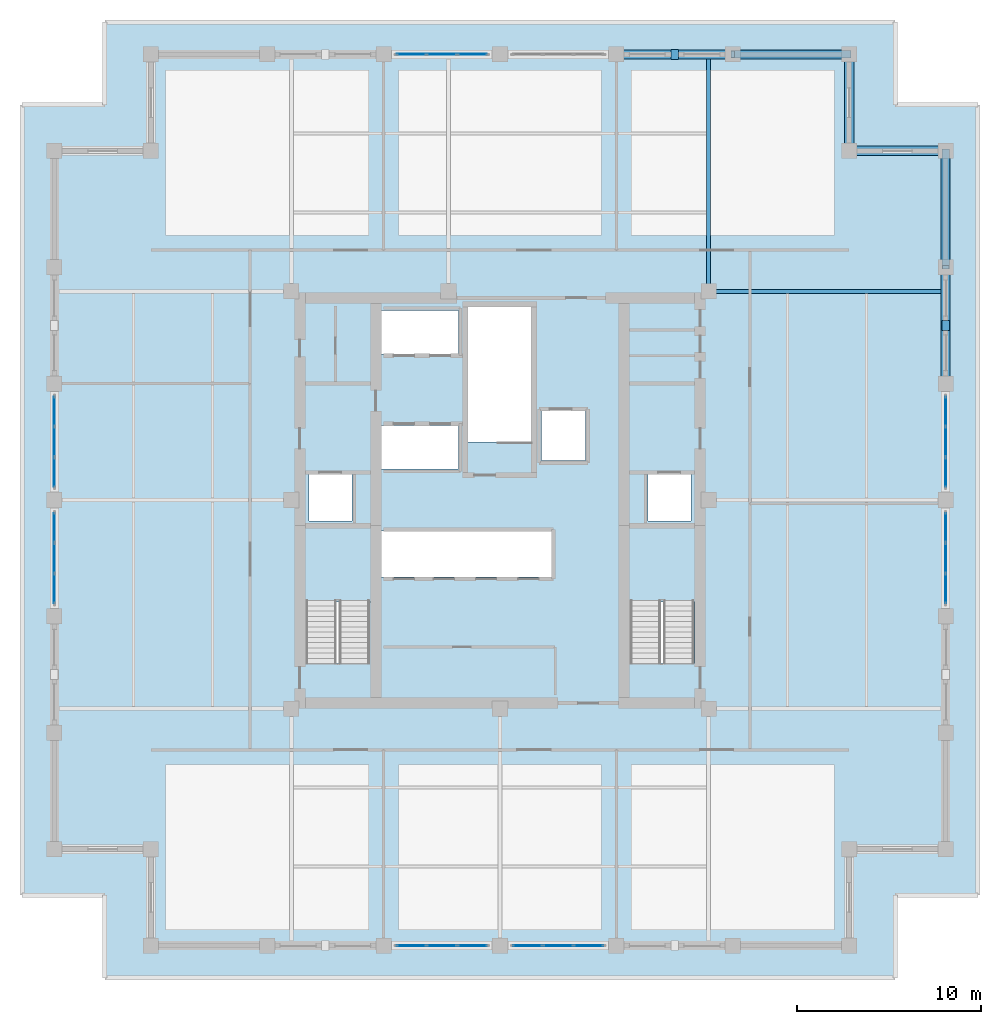
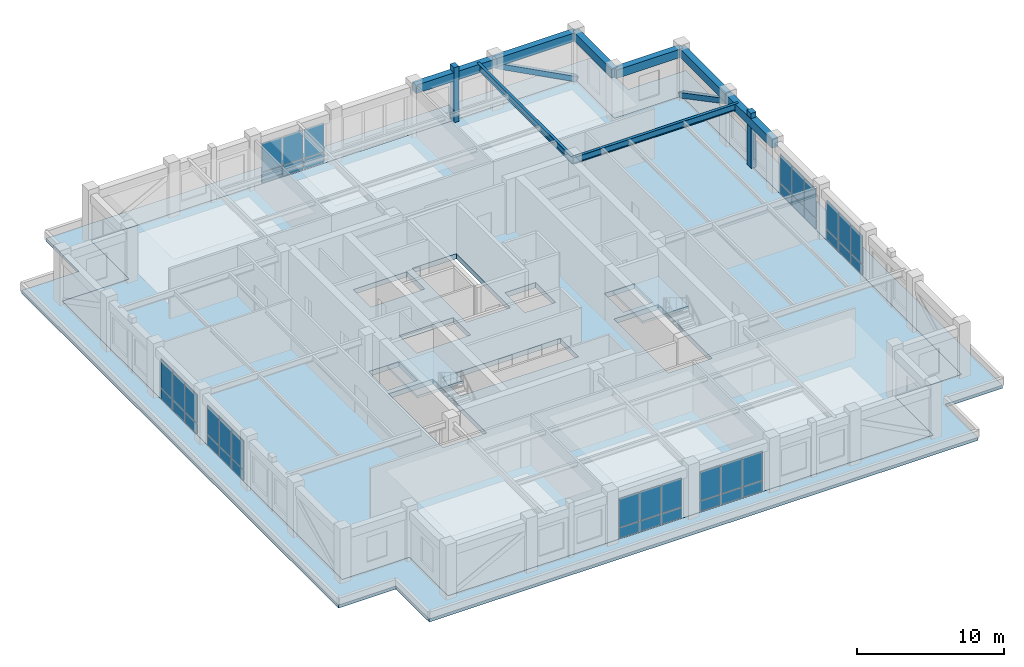
# One storey, part 6 of 14: 42 plates, 8 beams, 4 members, 4 slabs, 9 elements without a shape of their own.
"""IFC4 building model written with IfcOpenShell, lengths in metres."""

from ifc_helpers import new_model, si_unit, direction, frame, origin, origin_2d, place, context, subcontext, project, spatial, polyline, rectangle, hollow_rectangle, i_section, outline, extrude, material, layer, layer_set, material_profile, profile_set, type_object, element, aggregate, save


model = new_model("IFC4")

# Units and contexts
model_context = context("Model", 3, precision=1e-05, world=origin(), true_north=direction((0.0, 1.0)))
body_context = subcontext(model_context, "Body", "Model", "MODEL_VIEW")
ifc_project = project(units=[si_unit("LENGTHUNIT", "METRE"), si_unit("AREAUNIT", "SQUARE_METRE"), si_unit("VOLUMEUNIT", "CUBIC_METRE"), si_unit("PLANEANGLEUNIT", "RADIAN"), si_unit("MASSUNIT", "GRAM", prefix="KILO")], contexts=[model_context])

# Site, building, storey
site_placement = place(None, origin())
site = spatial("IfcSite", under=ifc_project, at=site_placement, CompositionType="ELEMENT")
building_placement = place(site_placement, origin())
building = spatial("IfcBuilding", under=site, at=building_placement, Name="Nhamokura Convention Tower", CompositionType="ELEMENT")
storey_placement = place(building_placement, frame((0.0, 0.0, 182.35009765625)))
storey = spatial("IfcBuildingStorey", under=building, at=storey_placement, Name="L44", CompositionType="ELEMENT", Elevation=182.35009765625)

# Members
ifc_material_1 = material(Name="Bronze-pigmented precast concrete C45/55", Category="concrete")
ifc_material_profile_1 = material_profile(ifc_material_1, rectangle(XDim=0.39990234375, YDim=0.550048828125, at=origin_2d()))
ifc_profile_set_1 = profile_set([ifc_material_profile_1], Name="Bronze-pigmented precast concrete C45/55")
member_type_1 = type_object("IfcMemberType", Name="BronzePilaster_550", PredefinedType="USERDEFINED", material=ifc_profile_set_1)
for number, where, z_axis, x_axis, name in (
    (1, (41.5, 56.25, 0.0), (0.0, 0.0, 1.0), (1.0, 0.0, 0.0), "L44 Engaged Frame Pilaster NORTH 4"),
    (2, (56.25, 41.5, 0.0), (0.0, 0.0, 1.0), (1.0, 0.0, 0.0), "L44 Engaged Frame Pilaster EAST 4"),
):
    element("IfcMember", number, at=place(storey_placement, frame(where, z_axis=z_axis, x_axis=x_axis)), inside=storey, type_object=member_type_1, Name=name, ObjectType="PILASTER_TRIM", PredefinedType="USERDEFINED", context=body_context, shape_type="SweptSolid", body=[
        extrude(rectangle(XDim=0.39990234375, YDim=0.550048828125, at=origin_2d()), origin(), (0.0, 0.0, 1.0), 4.5498046875),
    ])

# Beams
ifc_material_2 = material(Name="Steel ASTM A992 Gr 50", Category="steel")
ifc_material_profile_2 = material_profile(ifc_material_2, i_section(OverallWidth=0.2109375, OverallDepth=0.5390625, WebThickness=0.01171875, FlangeThickness=0.018798828125, at=origin_2d()))
ifc_profile_set_2 = profile_set([ifc_material_profile_2], Name="Steel ASTM A992 Gr 50")
beam_type_1 = type_object("IfcBeamType", Name="PrimaryGirder_W530X109", PredefinedType="BEAM", material=ifc_profile_set_2)
for number, where, z_axis, x_axis, name in (
    (3, (43.35009765625, 43.35009765625, 3.8603515625), (0.0, 1.0, 0.0), (-1.0, 0.0, 0.0), "L44 Primary Floor Girder PG-N3"),
    (4, (43.35009765625, 43.35009765625, 3.8603515625), (1.0, 0.0, 0.0), (0.0, 1.0, 0.0), "L44 Primary Floor Girder PG-E3"),
):
    element("IfcBeam", number, at=place(storey_placement, frame(where, z_axis=z_axis, x_axis=x_axis)), inside=storey, type_object=beam_type_1, Name=name, PredefinedType="BEAM", context=body_context, shape_type="SweptSolid", body=[
        extrude(i_section(OverallWidth=0.2109375, OverallDepth=0.5390625, WebThickness=0.01171875, FlangeThickness=0.018798828125, at=origin_2d()), origin(), (0.0, 0.0, 1.0), 12.89990234375),
    ])

# Members
ifc_material_3 = material(Name="Steel ASTM A572 Gr 50", Category="steel")
ifc_material_profile_3 = material_profile(ifc_material_3, hollow_rectangle(XDim=0.39990234375, YDim=0.39990234375, WallThickness=0.02001953125, at=origin_2d()))
ifc_profile_set_3 = profile_set([ifc_material_profile_3], Name="Steel ASTM A572 Gr 50")
member_type_2 = type_object("IfcMemberType", Name="TubeBrace_HSS400", PredefinedType="BRACE", material=ifc_profile_set_3)
for number, where, z_axis, x_axis, name in (
    (5, (51.0, 56.25, 0.14990234375), (-0.885103184305, 0.0, 0.46539483574), (0.0, -1.0, 0.0), "L44 Perimeter Tube Brace NORTH Bay 5"),
    (6, (56.25, 51.0, 0.14990234375), (0.0, -0.885103184305, 0.46539483574), (1.0, 0.0, 0.0), "L44 Perimeter Tube Brace EAST Bay 5"),
):
    element("IfcMember", number, at=place(storey_placement, frame(where, z_axis=z_axis, x_axis=x_axis)), inside=storey, type_object=member_type_2, Name=name, PredefinedType="BRACE", context=body_context, shape_type="SweptSolid", body=[
        extrude(hollow_rectangle(XDim=0.39990234375, YDim=0.39990234375, WallThickness=0.02001953125, at=origin_2d()), origin(), (0.0, 0.0, 1.0), 7.1552734375),
    ])

# Beams
ifc_material_4 = material(Name="Concrete C50/60", Category="concrete")
ifc_material_profile_4 = material_profile(ifc_material_4, rectangle(XDim=0.5, YDim=0.699951171875, at=origin_2d()))
ifc_profile_set_4 = profile_set([ifc_material_profile_4], Name="Concrete C50/60")
beam_type_2 = type_object("IfcBeamType", Name="TubeSpandrel_700", PredefinedType="SPANDREL", material=ifc_profile_set_4)
beam_1_placement = place(storey_placement, frame((38.333251953125, 56.25, 3.77978515625), z_axis=(1.0, 0.0, 0.0), x_axis=(0.0, 1.0, 0.0)))
element("IfcBeam", 7, at=beam_1_placement, inside=storey, type_object=beam_type_2, Name="L44 Perimeter Spandrel NORTH 5", PredefinedType="SPANDREL", context=body_context, shape_type="SweptSolid", body=[
    extrude(rectangle(XDim=0.5, YDim=0.699951171875, at=origin_2d()), origin(), (0.0, 0.0, 1.0), 6.33349609375),
])
beam_2_placement = place(storey_placement, frame((44.666748046875, 56.25, 3.77978515625), z_axis=(1.0, 0.0, 0.0), x_axis=(0.0, 1.0, 0.0)))
element("IfcBeam", 8, at=beam_2_placement, inside=storey, type_object=beam_type_2, Name="L44 Perimeter Spandrel NORTH 6", PredefinedType="SPANDREL", context=body_context, shape_type="SweptSolid", body=[
    extrude(rectangle(XDim=0.5, YDim=0.699951171875, at=origin_2d()), origin(), (0.0, 0.0, 1.0), 6.333251953125),
])
beam_3_placement = place(storey_placement, frame((56.25, 38.333251953125, 3.77978515625), z_axis=(0.0, 1.0, 0.0), x_axis=(-1.0, 0.0, 0.0)))
element("IfcBeam", 9, at=beam_3_placement, inside=storey, type_object=beam_type_2, Name="L44 Perimeter Spandrel EAST 5", PredefinedType="SPANDREL", context=body_context, shape_type="SweptSolid", body=[
    extrude(rectangle(XDim=0.5, YDim=0.699951171875, at=origin_2d()), origin(), (0.0, 0.0, 1.0), 6.33349609375),
])
beam_4_placement = place(storey_placement, frame((56.25, 44.666748046875, 3.77978515625), z_axis=(0.0, 1.0, 0.0), x_axis=(-1.0, 0.0, 0.0)))
element("IfcBeam", 10, at=beam_4_placement, inside=storey, type_object=beam_type_2, Name="L44 Perimeter Spandrel EAST 6", PredefinedType="SPANDREL", context=body_context, shape_type="SweptSolid", body=[
    extrude(rectangle(XDim=0.5, YDim=0.699951171875, at=origin_2d()), origin(), (0.0, 0.0, 1.0), 6.333251953125),
])
for number, where, z_axis, x_axis, name in (
    (11, (56.25, 51.0, 3.77978515625), (-1.0, 0.0, 0.0), (0.0, -1.0, 0.0), "L44 Notch Spandrel NE1"),
    (12, (51.0, 51.0, 3.77978515625), (0.0, 1.0, 0.0), (-1.0, 0.0, 0.0), "L44 Notch Spandrel NE2"),
):
    element("IfcBeam", number, at=place(storey_placement, frame(where, z_axis=z_axis, x_axis=x_axis)), inside=storey, type_object=beam_type_2, Name=name, PredefinedType="SPANDREL", context=body_context, shape_type="SweptSolid", body=[
        extrude(rectangle(XDim=0.5, YDim=0.699951171875, at=origin_2d()), origin(), (0.0, 0.0, 1.0), 5.25),
    ])

# Curtain wall, plates
ifc_material_5 = material(Name="Anodised bronze aluminium AA6063-T6", Category="aluminium")
ifc_layer_1 = layer(ifc_material_5, 0.18994140625)
ifc_layer_set_1 = layer_set([ifc_layer_1], Name="CWSystem_SkyLobby")
curtain_wall_type = type_object("IfcCurtainWallType", Name="CWSystem_SkyLobby", PredefinedType="NOTDEFINED", material=ifc_layer_set_1)
curtain_wall_1_placement = place(storey_placement, origin())
curtain_wall_1 = element("IfcCurtainWall", 13, at=curtain_wall_1_placement, inside=storey, type_object=curtain_wall_type, Name="L44 Curtain Wall ENV-L44-CW-S2", PredefinedType="NOTDEFINED")
ifc_material_6 = material(Name="Solar-control bronze low-E double glass", Category="glass")
ifc_layer_2 = layer(ifc_material_6, 0.0400390625)
ifc_layer_set_2 = layer_set([ifc_layer_2], Name="CWGlazedPanel_3")
plate_type = type_object("IfcPlateType", Name="CWGlazedPanel_3", PredefinedType="CURTAIN_PANEL", material=ifc_layer_set_2)
plate_1_placement = place(storey_placement, frame((30.492431640625, 7.75, 0.074951171875), z_axis=(0.0, 0.0, 1.0), x_axis=(-1.0, 0.0, 0.0)))
plate_1 = element("IfcPlate", 14, at=plate_1_placement, type_object=plate_type, Name="CW-06 panel 1.1", PredefinedType="CURTAIN_PANEL", context=body_context, shape_type="SweptSolid", body=[
    extrude(rectangle(XDim=1.565185546875, YDim=0.0400390625, at=origin_2d()), origin(), (0.0, 0.0, 1.0), 0.83740234375),
])
plate_2_placement = place(storey_placement, frame((30.492431640625, 7.75, 0.9873046875), z_axis=(0.0, 0.0, 1.0), x_axis=(-1.0, 0.0, 0.0)))
plate_2 = element("IfcPlate", 15, at=plate_2_placement, type_object=plate_type, Name="CW-06 panel 1.2", PredefinedType="CURTAIN_PANEL", context=body_context, shape_type="SweptSolid", body=[
    extrude(rectangle(XDim=1.565185546875, YDim=0.0400390625, at=origin_2d()), origin(), (0.0, 0.0, 1.0), 2.367431640625),
])
plate_3_placement = place(storey_placement, frame((28.833251953125, 7.75, 0.074951171875), z_axis=(0.0, 0.0, 1.0), x_axis=(-1.0, 0.0, 0.0)))
plate_3 = element("IfcPlate", 16, at=plate_3_placement, type_object=plate_type, Name="CW-06 panel 2.1", PredefinedType="CURTAIN_PANEL", context=body_context, shape_type="SweptSolid", body=[
    extrude(rectangle(XDim=1.602783203125, YDim=0.0400390625, at=origin_2d()), origin(), (0.0, 0.0, 1.0), 0.83740234375),
])
plate_4_placement = place(storey_placement, frame((28.833251953125, 7.75, 0.9873046875), z_axis=(0.0, 0.0, 1.0), x_axis=(-1.0, 0.0, 0.0)))
plate_4 = element("IfcPlate", 17, at=plate_4_placement, type_object=plate_type, Name="CW-06 panel 2.2", PredefinedType="CURTAIN_PANEL", context=body_context, shape_type="SweptSolid", body=[
    extrude(rectangle(XDim=1.602783203125, YDim=0.0400390625, at=origin_2d()), origin(), (0.0, 0.0, 1.0), 2.367431640625),
])
plate_5_placement = place(storey_placement, frame((27.17431640625, 7.75, 0.074951171875), z_axis=(0.0, 0.0, 1.0), x_axis=(-1.0, 0.0, 0.0)))
plate_5 = element("IfcPlate", 18, at=plate_5_placement, type_object=plate_type, Name="CW-06 panel 3.1", PredefinedType="CURTAIN_PANEL", context=body_context, shape_type="SweptSolid", body=[
    extrude(rectangle(XDim=1.565185546875, YDim=0.0400390625, at=origin_2d()), origin(), (0.0, 0.0, 1.0), 0.83740234375),
])
plate_6_placement = place(storey_placement, frame((27.17431640625, 7.75, 0.9873046875), z_axis=(0.0, 0.0, 1.0), x_axis=(-1.0, 0.0, 0.0)))
plate_6 = element("IfcPlate", 19, at=plate_6_placement, type_object=plate_type, Name="CW-06 panel 3.2", PredefinedType="CURTAIN_PANEL", context=body_context, shape_type="SweptSolid", body=[
    extrude(rectangle(XDim=1.565185546875, YDim=0.0400390625, at=origin_2d()), origin(), (0.0, 0.0, 1.0), 2.367431640625),
])
aggregate(curtain_wall_1, [plate_1, plate_2, plate_3, plate_4, plate_5, plate_6])

curtain_wall_2_placement = place(storey_placement, origin())
curtain_wall_2 = element("IfcCurtainWall", 20, at=curtain_wall_2_placement, inside=storey, type_object=curtain_wall_type, Name="L44 Curtain Wall ENV-L44-CW-S3", PredefinedType="NOTDEFINED")
plate_7_placement = place(storey_placement, frame((36.82568359375, 7.75, 0.074951171875), z_axis=(0.0, 0.0, 1.0), x_axis=(-1.0, 0.0, 0.0)))
plate_7 = element("IfcPlate", 21, at=plate_7_placement, type_object=plate_type, Name="CW-06 panel 1.1", PredefinedType="CURTAIN_PANEL", context=body_context, shape_type="SweptSolid", body=[
    extrude(rectangle(XDim=1.565185546875, YDim=0.0400390625, at=origin_2d()), origin(), (0.0, 0.0, 1.0), 0.83740234375),
])
plate_8_placement = place(storey_placement, frame((36.82568359375, 7.75, 0.9873046875), z_axis=(0.0, 0.0, 1.0), x_axis=(-1.0, 0.0, 0.0)))
plate_8 = element("IfcPlate", 22, at=plate_8_placement, type_object=plate_type, Name="CW-06 panel 1.2", PredefinedType="CURTAIN_PANEL", context=body_context, shape_type="SweptSolid", body=[
    extrude(rectangle(XDim=1.565185546875, YDim=0.0400390625, at=origin_2d()), origin(), (0.0, 0.0, 1.0), 2.367431640625),
])
plate_9_placement = place(storey_placement, frame((35.166748046875, 7.75, 0.074951171875), z_axis=(0.0, 0.0, 1.0), x_axis=(-1.0, 0.0, 0.0)))
plate_9 = element("IfcPlate", 23, at=plate_9_placement, type_object=plate_type, Name="CW-06 panel 2.1", PredefinedType="CURTAIN_PANEL", context=body_context, shape_type="SweptSolid", body=[
    extrude(rectangle(XDim=1.602783203125, YDim=0.0400390625, at=origin_2d()), origin(), (0.0, 0.0, 1.0), 0.83740234375),
])
plate_10_placement = place(storey_placement, frame((35.166748046875, 7.75, 0.9873046875), z_axis=(0.0, 0.0, 1.0), x_axis=(-1.0, 0.0, 0.0)))
plate_10 = element("IfcPlate", 24, at=plate_10_placement, type_object=plate_type, Name="CW-06 panel 2.2", PredefinedType="CURTAIN_PANEL", context=body_context, shape_type="SweptSolid", body=[
    extrude(rectangle(XDim=1.602783203125, YDim=0.0400390625, at=origin_2d()), origin(), (0.0, 0.0, 1.0), 2.367431640625),
])
plate_11_placement = place(storey_placement, frame((33.507568359375, 7.75, 0.074951171875), z_axis=(0.0, 0.0, 1.0), x_axis=(-1.0, 0.0, 0.0)))
plate_11 = element("IfcPlate", 25, at=plate_11_placement, type_object=plate_type, Name="CW-06 panel 3.1", PredefinedType="CURTAIN_PANEL", context=body_context, shape_type="SweptSolid", body=[
    extrude(rectangle(XDim=1.565185546875, YDim=0.0400390625, at=origin_2d()), origin(), (0.0, 0.0, 1.0), 0.83740234375),
])
plate_12_placement = place(storey_placement, frame((33.507568359375, 7.75, 0.9873046875), z_axis=(0.0, 0.0, 1.0), x_axis=(-1.0, 0.0, 0.0)))
plate_12 = element("IfcPlate", 26, at=plate_12_placement, type_object=plate_type, Name="CW-06 panel 3.2", PredefinedType="CURTAIN_PANEL", context=body_context, shape_type="SweptSolid", body=[
    extrude(rectangle(XDim=1.565185546875, YDim=0.0400390625, at=origin_2d()), origin(), (0.0, 0.0, 1.0), 2.367431640625),
])
aggregate(curtain_wall_2, [plate_7, plate_8, plate_9, plate_10, plate_11, plate_12])

curtain_wall_3_placement = place(storey_placement, origin())
curtain_wall_3 = element("IfcCurtainWall", 27, at=curtain_wall_3_placement, inside=storey, type_object=curtain_wall_type, Name="L44 Curtain Wall ENV-L44-CW-N2", PredefinedType="NOTDEFINED")
plate_13_placement = place(storey_placement, frame((27.17431640625, 56.25, 0.074951171875), z_axis=(0.0, 0.0, 1.0), x_axis=(1.0, 0.0, 0.0)))
plate_13 = element("IfcPlate", 28, at=plate_13_placement, type_object=plate_type, Name="CW-06 panel 1.1", PredefinedType="CURTAIN_PANEL", context=body_context, shape_type="SweptSolid", body=[
    extrude(rectangle(XDim=1.565185546875, YDim=0.0400390625, at=origin_2d()), origin(), (0.0, 0.0, 1.0), 0.83740234375),
])
plate_14_placement = place(storey_placement, frame((27.17431640625, 56.25, 0.9873046875), z_axis=(0.0, 0.0, 1.0), x_axis=(1.0, 0.0, 0.0)))
plate_14 = element("IfcPlate", 29, at=plate_14_placement, type_object=plate_type, Name="CW-06 panel 1.2", PredefinedType="CURTAIN_PANEL", context=body_context, shape_type="SweptSolid", body=[
    extrude(rectangle(XDim=1.565185546875, YDim=0.0400390625, at=origin_2d()), origin(), (0.0, 0.0, 1.0), 2.367431640625),
])
plate_15_placement = place(storey_placement, frame((28.833251953125, 56.25, 0.074951171875), z_axis=(0.0, 0.0, 1.0), x_axis=(1.0, 0.0, 0.0)))
plate_15 = element("IfcPlate", 30, at=plate_15_placement, type_object=plate_type, Name="CW-06 panel 2.1", PredefinedType="CURTAIN_PANEL", context=body_context, shape_type="SweptSolid", body=[
    extrude(rectangle(XDim=1.602783203125, YDim=0.0400390625, at=origin_2d()), origin(), (0.0, 0.0, 1.0), 0.83740234375),
])
plate_16_placement = place(storey_placement, frame((28.833251953125, 56.25, 0.9873046875), z_axis=(0.0, 0.0, 1.0), x_axis=(1.0, 0.0, 0.0)))
plate_16 = element("IfcPlate", 31, at=plate_16_placement, type_object=plate_type, Name="CW-06 panel 2.2", PredefinedType="CURTAIN_PANEL", context=body_context, shape_type="SweptSolid", body=[
    extrude(rectangle(XDim=1.602783203125, YDim=0.0400390625, at=origin_2d()), origin(), (0.0, 0.0, 1.0), 2.367431640625),
])
plate_17_placement = place(storey_placement, frame((30.492431640625, 56.25, 0.074951171875), z_axis=(0.0, 0.0, 1.0), x_axis=(1.0, 0.0, 0.0)))
plate_17 = element("IfcPlate", 32, at=plate_17_placement, type_object=plate_type, Name="CW-06 panel 3.1", PredefinedType="CURTAIN_PANEL", context=body_context, shape_type="SweptSolid", body=[
    extrude(rectangle(XDim=1.565185546875, YDim=0.0400390625, at=origin_2d()), origin(), (0.0, 0.0, 1.0), 0.83740234375),
])
plate_18_placement = place(storey_placement, frame((30.492431640625, 56.25, 0.9873046875), z_axis=(0.0, 0.0, 1.0), x_axis=(1.0, 0.0, 0.0)))
plate_18 = element("IfcPlate", 33, at=plate_18_placement, type_object=plate_type, Name="CW-06 panel 3.2", PredefinedType="CURTAIN_PANEL", context=body_context, shape_type="SweptSolid", body=[
    extrude(rectangle(XDim=1.565185546875, YDim=0.0400390625, at=origin_2d()), origin(), (0.0, 0.0, 1.0), 2.367431640625),
])
aggregate(curtain_wall_3, [plate_13, plate_14, plate_15, plate_16, plate_17, plate_18])

curtain_wall_4_placement = place(storey_placement, origin())
curtain_wall_4 = element("IfcCurtainWall", 34, at=curtain_wall_4_placement, inside=storey, type_object=curtain_wall_type, Name="L44 Curtain Wall ENV-L44-CW-W2", PredefinedType="NOTDEFINED")
plate_19_placement = place(storey_placement, frame((7.75, 27.17431640625, 0.074951171875), z_axis=(0.0, 0.0, 1.0), x_axis=(0.0, 1.0, 0.0)))
plate_19 = element("IfcPlate", 35, at=plate_19_placement, type_object=plate_type, Name="CW-06 panel 1.1", PredefinedType="CURTAIN_PANEL", context=body_context, shape_type="SweptSolid", body=[
    extrude(rectangle(XDim=1.565185546875, YDim=0.0400390625, at=origin_2d()), origin(), (0.0, 0.0, 1.0), 0.83740234375),
])
plate_20_placement = place(storey_placement, frame((7.75, 27.17431640625, 0.9873046875), z_axis=(0.0, 0.0, 1.0), x_axis=(0.0, 1.0, 0.0)))
plate_20 = element("IfcPlate", 36, at=plate_20_placement, type_object=plate_type, Name="CW-06 panel 1.2", PredefinedType="CURTAIN_PANEL", context=body_context, shape_type="SweptSolid", body=[
    extrude(rectangle(XDim=1.565185546875, YDim=0.0400390625, at=origin_2d()), origin(), (0.0, 0.0, 1.0), 2.367431640625),
])
plate_21_placement = place(storey_placement, frame((7.75, 28.833251953125, 0.074951171875), z_axis=(0.0, 0.0, 1.0), x_axis=(0.0, 1.0, 0.0)))
plate_21 = element("IfcPlate", 37, at=plate_21_placement, type_object=plate_type, Name="CW-06 panel 2.1", PredefinedType="CURTAIN_PANEL", context=body_context, shape_type="SweptSolid", body=[
    extrude(rectangle(XDim=1.602783203125, YDim=0.0400390625, at=origin_2d()), origin(), (0.0, 0.0, 1.0), 0.83740234375),
])
plate_22_placement = place(storey_placement, frame((7.75, 28.833251953125, 0.9873046875), z_axis=(0.0, 0.0, 1.0), x_axis=(0.0, 1.0, 0.0)))
plate_22 = element("IfcPlate", 38, at=plate_22_placement, type_object=plate_type, Name="CW-06 panel 2.2", PredefinedType="CURTAIN_PANEL", context=body_context, shape_type="SweptSolid", body=[
    extrude(rectangle(XDim=1.602783203125, YDim=0.0400390625, at=origin_2d()), origin(), (0.0, 0.0, 1.0), 2.367431640625),
])
plate_23_placement = place(storey_placement, frame((7.75, 30.492431640625, 0.074951171875), z_axis=(0.0, 0.0, 1.0), x_axis=(0.0, 1.0, 0.0)))
plate_23 = element("IfcPlate", 39, at=plate_23_placement, type_object=plate_type, Name="CW-06 panel 3.1", PredefinedType="CURTAIN_PANEL", context=body_context, shape_type="SweptSolid", body=[
    extrude(rectangle(XDim=1.565185546875, YDim=0.0400390625, at=origin_2d()), origin(), (0.0, 0.0, 1.0), 0.83740234375),
])
plate_24_placement = place(storey_placement, frame((7.75, 30.492431640625, 0.9873046875), z_axis=(0.0, 0.0, 1.0), x_axis=(0.0, 1.0, 0.0)))
plate_24 = element("IfcPlate", 40, at=plate_24_placement, type_object=plate_type, Name="CW-06 panel 3.2", PredefinedType="CURTAIN_PANEL", context=body_context, shape_type="SweptSolid", body=[
    extrude(rectangle(XDim=1.565185546875, YDim=0.0400390625, at=origin_2d()), origin(), (0.0, 0.0, 1.0), 2.367431640625),
])
aggregate(curtain_wall_4, [plate_19, plate_20, plate_21, plate_22, plate_23, plate_24])

curtain_wall_5_placement = place(storey_placement, origin())
curtain_wall_5 = element("IfcCurtainWall", 41, at=curtain_wall_5_placement, inside=storey, type_object=curtain_wall_type, Name="L44 Curtain Wall ENV-L44-CW-W3", PredefinedType="NOTDEFINED")
plate_25_placement = place(storey_placement, frame((7.75, 33.507568359375, 0.074951171875), z_axis=(0.0, 0.0, 1.0), x_axis=(0.0, 1.0, 0.0)))
plate_25 = element("IfcPlate", 42, at=plate_25_placement, type_object=plate_type, Name="CW-06 panel 1.1", PredefinedType="CURTAIN_PANEL", context=body_context, shape_type="SweptSolid", body=[
    extrude(rectangle(XDim=1.565185546875, YDim=0.0400390625, at=origin_2d()), origin(), (0.0, 0.0, 1.0), 0.83740234375),
])
plate_26_placement = place(storey_placement, frame((7.75, 33.507568359375, 0.9873046875), z_axis=(0.0, 0.0, 1.0), x_axis=(0.0, 1.0, 0.0)))
plate_26 = element("IfcPlate", 43, at=plate_26_placement, type_object=plate_type, Name="CW-06 panel 1.2", PredefinedType="CURTAIN_PANEL", context=body_context, shape_type="SweptSolid", body=[
    extrude(rectangle(XDim=1.565185546875, YDim=0.0400390625, at=origin_2d()), origin(), (0.0, 0.0, 1.0), 2.367431640625),
])
plate_27_placement = place(storey_placement, frame((7.75, 35.166748046875, 0.074951171875), z_axis=(0.0, 0.0, 1.0), x_axis=(0.0, 1.0, 0.0)))
plate_27 = element("IfcPlate", 44, at=plate_27_placement, type_object=plate_type, Name="CW-06 panel 2.1", PredefinedType="CURTAIN_PANEL", context=body_context, shape_type="SweptSolid", body=[
    extrude(rectangle(XDim=1.602783203125, YDim=0.0400390625, at=origin_2d()), origin(), (0.0, 0.0, 1.0), 0.83740234375),
])
plate_28_placement = place(storey_placement, frame((7.75, 35.166748046875, 0.9873046875), z_axis=(0.0, 0.0, 1.0), x_axis=(0.0, 1.0, 0.0)))
plate_28 = element("IfcPlate", 45, at=plate_28_placement, type_object=plate_type, Name="CW-06 panel 2.2", PredefinedType="CURTAIN_PANEL", context=body_context, shape_type="SweptSolid", body=[
    extrude(rectangle(XDim=1.602783203125, YDim=0.0400390625, at=origin_2d()), origin(), (0.0, 0.0, 1.0), 2.367431640625),
])
plate_29_placement = place(storey_placement, frame((7.75, 36.82568359375, 0.074951171875), z_axis=(0.0, 0.0, 1.0), x_axis=(0.0, 1.0, 0.0)))
plate_29 = element("IfcPlate", 46, at=plate_29_placement, type_object=plate_type, Name="CW-06 panel 3.1", PredefinedType="CURTAIN_PANEL", context=body_context, shape_type="SweptSolid", body=[
    extrude(rectangle(XDim=1.565185546875, YDim=0.0400390625, at=origin_2d()), origin(), (0.0, 0.0, 1.0), 0.83740234375),
])
plate_30_placement = place(storey_placement, frame((7.75, 36.82568359375, 0.9873046875), z_axis=(0.0, 0.0, 1.0), x_axis=(0.0, 1.0, 0.0)))
plate_30 = element("IfcPlate", 47, at=plate_30_placement, type_object=plate_type, Name="CW-06 panel 3.2", PredefinedType="CURTAIN_PANEL", context=body_context, shape_type="SweptSolid", body=[
    extrude(rectangle(XDim=1.565185546875, YDim=0.0400390625, at=origin_2d()), origin(), (0.0, 0.0, 1.0), 2.367431640625),
])
aggregate(curtain_wall_5, [plate_25, plate_26, plate_27, plate_28, plate_29, plate_30])

curtain_wall_6_placement = place(storey_placement, origin())
curtain_wall_6 = element("IfcCurtainWall", 48, at=curtain_wall_6_placement, inside=storey, type_object=curtain_wall_type, Name="L44 Curtain Wall ENV-L44-CW-E2", PredefinedType="NOTDEFINED")
plate_31_placement = place(storey_placement, frame((56.25, 30.492431640625, 0.074951171875), z_axis=(0.0, 0.0, 1.0), x_axis=(0.0, -1.0, 0.0)))
plate_31 = element("IfcPlate", 49, at=plate_31_placement, type_object=plate_type, Name="CW-06 panel 1.1", PredefinedType="CURTAIN_PANEL", context=body_context, shape_type="SweptSolid", body=[
    extrude(rectangle(XDim=1.565185546875, YDim=0.0400390625, at=origin_2d()), origin(), (0.0, 0.0, 1.0), 0.83740234375),
])
plate_32_placement = place(storey_placement, frame((56.25, 30.492431640625, 0.9873046875), z_axis=(0.0, 0.0, 1.0), x_axis=(0.0, -1.0, 0.0)))
plate_32 = element("IfcPlate", 50, at=plate_32_placement, type_object=plate_type, Name="CW-06 panel 1.2", PredefinedType="CURTAIN_PANEL", context=body_context, shape_type="SweptSolid", body=[
    extrude(rectangle(XDim=1.565185546875, YDim=0.0400390625, at=origin_2d()), origin(), (0.0, 0.0, 1.0), 2.367431640625),
])
plate_33_placement = place(storey_placement, frame((56.25, 28.833251953125, 0.074951171875), z_axis=(0.0, 0.0, 1.0), x_axis=(0.0, -1.0, 0.0)))
plate_33 = element("IfcPlate", 51, at=plate_33_placement, type_object=plate_type, Name="CW-06 panel 2.1", PredefinedType="CURTAIN_PANEL", context=body_context, shape_type="SweptSolid", body=[
    extrude(rectangle(XDim=1.602783203125, YDim=0.0400390625, at=origin_2d()), origin(), (0.0, 0.0, 1.0), 0.83740234375),
])
plate_34_placement = place(storey_placement, frame((56.25, 28.833251953125, 0.9873046875), z_axis=(0.0, 0.0, 1.0), x_axis=(0.0, -1.0, 0.0)))
plate_34 = element("IfcPlate", 52, at=plate_34_placement, type_object=plate_type, Name="CW-06 panel 2.2", PredefinedType="CURTAIN_PANEL", context=body_context, shape_type="SweptSolid", body=[
    extrude(rectangle(XDim=1.602783203125, YDim=0.0400390625, at=origin_2d()), origin(), (0.0, 0.0, 1.0), 2.367431640625),
])
plate_35_placement = place(storey_placement, frame((56.25, 27.17431640625, 0.074951171875), z_axis=(0.0, 0.0, 1.0), x_axis=(0.0, -1.0, 0.0)))
plate_35 = element("IfcPlate", 53, at=plate_35_placement, type_object=plate_type, Name="CW-06 panel 3.1", PredefinedType="CURTAIN_PANEL", context=body_context, shape_type="SweptSolid", body=[
    extrude(rectangle(XDim=1.565185546875, YDim=0.0400390625, at=origin_2d()), origin(), (0.0, 0.0, 1.0), 0.83740234375),
])
plate_36_placement = place(storey_placement, frame((56.25, 27.17431640625, 0.9873046875), z_axis=(0.0, 0.0, 1.0), x_axis=(0.0, -1.0, 0.0)))
plate_36 = element("IfcPlate", 54, at=plate_36_placement, type_object=plate_type, Name="CW-06 panel 3.2", PredefinedType="CURTAIN_PANEL", context=body_context, shape_type="SweptSolid", body=[
    extrude(rectangle(XDim=1.565185546875, YDim=0.0400390625, at=origin_2d()), origin(), (0.0, 0.0, 1.0), 2.367431640625),
])
aggregate(curtain_wall_6, [plate_31, plate_32, plate_33, plate_34, plate_35, plate_36])

curtain_wall_7_placement = place(storey_placement, origin())
curtain_wall_7 = element("IfcCurtainWall", 55, at=curtain_wall_7_placement, inside=storey, type_object=curtain_wall_type, Name="L44 Curtain Wall ENV-L44-CW-E3", PredefinedType="NOTDEFINED")
plate_37_placement = place(storey_placement, frame((56.25, 36.82568359375, 0.074951171875), z_axis=(0.0, 0.0, 1.0), x_axis=(0.0, -1.0, 0.0)))
plate_37 = element("IfcPlate", 56, at=plate_37_placement, type_object=plate_type, Name="CW-06 panel 1.1", PredefinedType="CURTAIN_PANEL", context=body_context, shape_type="SweptSolid", body=[
    extrude(rectangle(XDim=1.565185546875, YDim=0.0400390625, at=origin_2d()), origin(), (0.0, 0.0, 1.0), 0.83740234375),
])
plate_38_placement = place(storey_placement, frame((56.25, 36.82568359375, 0.9873046875), z_axis=(0.0, 0.0, 1.0), x_axis=(0.0, -1.0, 0.0)))
plate_38 = element("IfcPlate", 57, at=plate_38_placement, type_object=plate_type, Name="CW-06 panel 1.2", PredefinedType="CURTAIN_PANEL", context=body_context, shape_type="SweptSolid", body=[
    extrude(rectangle(XDim=1.565185546875, YDim=0.0400390625, at=origin_2d()), origin(), (0.0, 0.0, 1.0), 2.367431640625),
])
plate_39_placement = place(storey_placement, frame((56.25, 35.166748046875, 0.074951171875), z_axis=(0.0, 0.0, 1.0), x_axis=(0.0, -1.0, 0.0)))
plate_39 = element("IfcPlate", 58, at=plate_39_placement, type_object=plate_type, Name="CW-06 panel 2.1", PredefinedType="CURTAIN_PANEL", context=body_context, shape_type="SweptSolid", body=[
    extrude(rectangle(XDim=1.602783203125, YDim=0.0400390625, at=origin_2d()), origin(), (0.0, 0.0, 1.0), 0.83740234375),
])
plate_40_placement = place(storey_placement, frame((56.25, 35.166748046875, 0.9873046875), z_axis=(0.0, 0.0, 1.0), x_axis=(0.0, -1.0, 0.0)))
plate_40 = element("IfcPlate", 59, at=plate_40_placement, type_object=plate_type, Name="CW-06 panel 2.2", PredefinedType="CURTAIN_PANEL", context=body_context, shape_type="SweptSolid", body=[
    extrude(rectangle(XDim=1.602783203125, YDim=0.0400390625, at=origin_2d()), origin(), (0.0, 0.0, 1.0), 2.367431640625),
])
plate_41_placement = place(storey_placement, frame((56.25, 33.507568359375, 0.074951171875), z_axis=(0.0, 0.0, 1.0), x_axis=(0.0, -1.0, 0.0)))
plate_41 = element("IfcPlate", 60, at=plate_41_placement, type_object=plate_type, Name="CW-06 panel 3.1", PredefinedType="CURTAIN_PANEL", context=body_context, shape_type="SweptSolid", body=[
    extrude(rectangle(XDim=1.565185546875, YDim=0.0400390625, at=origin_2d()), origin(), (0.0, 0.0, 1.0), 0.83740234375),
])
plate_42_placement = place(storey_placement, frame((56.25, 33.507568359375, 0.9873046875), z_axis=(0.0, 0.0, 1.0), x_axis=(0.0, -1.0, 0.0)))
plate_42 = element("IfcPlate", 61, at=plate_42_placement, type_object=plate_type, Name="CW-06 panel 3.2", PredefinedType="CURTAIN_PANEL", context=body_context, shape_type="SweptSolid", body=[
    extrude(rectangle(XDim=1.565185546875, YDim=0.0400390625, at=origin_2d()), origin(), (0.0, 0.0, 1.0), 2.367431640625),
])
aggregate(curtain_wall_7, [plate_37, plate_38, plate_39, plate_40, plate_41, plate_42])

# Stair, slab
ifc_material_7 = material(Name="Concrete C40/50", Category="concrete")
stair_type = type_object("IfcStairType", Name="TowerCoreStair_1650", PredefinedType="HALF_TURN_STAIR", material=ifc_material_7)
stair_1_placement = place(storey_placement, origin())
stair_1 = element("IfcStair", 62, at=stair_1_placement, inside=storey, type_object=stair_type, Name="L44 West Core Smokeproof Stair ST-01", PredefinedType="HALF_TURN_STAIR")
ifc_material_8 = material(Name="Concrete C40/50", Category="concrete")
ifc_layer_3 = layer(ifc_material_8, 0.199951171875)
ifc_layer_set_3 = layer_set([ifc_layer_3], Name="StairLandingSlab_200")
slab_type_1 = type_object("IfcSlabType", Name="StairLandingSlab_200", PredefinedType="LANDING", material=ifc_layer_set_3)
slab_1_placement = place(storey_placement, frame((0.0, 0.0, 2.074951171875)))
slab_1 = element("IfcSlab", 63, at=slab_1_placement, type_object=slab_type_1, Name="ST-01 landing 1", PredefinedType="LANDING", context=body_context, shape_type="SweptSolid", body=[
    extrude(outline(polyline([(24.97998046875, 26.43994140625), (24.97998046875, 30.530029296875), (21.3701171875, 30.530029296875), (21.3701171875, 26.43994140625), (24.97998046875, 26.43994140625)])), origin(), (0.0, 0.0, 1.0), 0.199951171875),
])
aggregate(stair_1, [slab_1])

stair_2_placement = place(storey_placement, origin())
stair_2 = element("IfcStair", 64, at=stair_2_placement, inside=storey, type_object=stair_type, Name="L44 East Core Smokeproof Stair ST-02", PredefinedType="HALF_TURN_STAIR")
slab_2_placement = place(storey_placement, frame((0.0, 0.0, 2.074951171875)))
slab_2 = element("IfcSlab", 65, at=slab_2_placement, type_object=slab_type_1, Name="ST-02 landing 1", PredefinedType="LANDING", context=body_context, shape_type="SweptSolid", body=[
    extrude(outline(polyline([(42.6298828125, 26.43994140625), (42.6298828125, 30.530029296875), (39.02001953125, 30.530029296875), (39.02001953125, 26.43994140625), (42.6298828125, 26.43994140625)])), origin(), (0.0, 0.0, 1.0), 0.199951171875),
])
aggregate(stair_2, [slab_2])

# Slabs
ifc_material_9 = material(Name="Concrete C40/50", Category="concrete")
ifc_layer_4 = layer(ifc_material_9, 0.25)
ifc_layer_set_4 = layer_set([ifc_layer_4], Name="TerraceRoofSlab_250")
slab_type_2 = type_object("IfcSlabType", Name="TerraceRoofSlab_250", PredefinedType="ROOF", material=ifc_layer_set_4)
slab_3_placement = place(storey_placement, frame((0.0, 0.0, -0.25)))
element("IfcSlab", 66, at=slab_3_placement, inside=storey, type_object=slab_type_2, Name="L44 Setback Terrace Roof Slab", PredefinedType="ROOF", context=body_context, shape_type="SweptSolid", body=[
    extrude(outline(polyline([(10.5, 6.0), (53.5, 6.0), (53.5, 10.5), (58.0, 10.5), (58.0, 53.5), (53.5, 53.5), (53.5, 58.0), (10.5, 58.0), (10.5, 53.5), (6.0, 53.5), (6.0, 10.5), (10.5, 10.5), (10.5, 6.0)]), holes=[polyline([(13.0, 7.75), (51.0, 7.75), (51.0, 13.0), (56.25, 13.0), (56.25, 51.0), (51.0, 51.0), (51.0, 56.25), (13.0, 56.25), (13.0, 51.0), (7.75, 51.0), (7.75, 13.0), (13.0, 13.0), (13.0, 7.75)])]), origin(), (0.0, 0.0, 1.0), 0.25),
])
ifc_material_10 = material(Name="Concrete C50/60", Category="concrete")
ifc_layer_5 = layer(ifc_material_10, 0.419921875)
ifc_layer_set_5 = layer_set([ifc_layer_5], Name="TransferDeckSlab_380")
slab_type_3 = type_object("IfcSlabType", Name="TransferDeckSlab_380", PredefinedType="FLOOR", material=ifc_layer_set_5)
slab_4_placement = place(storey_placement, frame((0.0, 0.0, -0.420166015625)))
element("IfcSlab", 67, at=slab_4_placement, inside=storey, type_object=slab_type_3, Name="L44 Structural Floor Slab", PredefinedType="FLOOR", context=body_context, shape_type="SweptSolid", body=[
    extrude(outline(polyline([(13.0, 7.75), (51.0, 7.75), (51.0, 13.0), (56.25, 13.0), (56.25, 51.0), (51.0, 51.0), (51.0, 56.25), (13.0, 56.25), (13.0, 51.0), (7.75, 51.0), (7.75, 13.0), (13.0, 13.0), (13.0, 7.75)]), holes=[polyline([(24.89990234375, 23.10009765625), (24.89990234375, 30.449951171875), (21.449951171875, 30.449951171875), (21.449951171875, 23.10009765625), (24.89990234375, 23.10009765625)]), polyline([(42.550048828125, 23.10009765625), (42.550048828125, 30.449951171875), (39.10009765625, 30.449951171875), (39.10009765625, 23.10009765625), (42.550048828125, 23.10009765625)]), polyline([(33.699951171875, 35.14990234375), (33.699951171875, 42.5), (30.25, 42.5), (30.25, 35.14990234375), (33.699951171875, 35.14990234375)]), polyline([(21.60009765625, 30.85009765625), (23.949951171875, 30.85009765625), (23.949951171875, 33.39990234375), (21.60009765625, 33.39990234375), (21.60009765625, 30.85009765625)]), polyline([(40.050048828125, 30.85009765625), (42.39990234375, 30.85009765625), (42.39990234375, 33.39990234375), (40.050048828125, 33.39990234375), (40.050048828125, 30.85009765625)]), polyline([(34.25, 34.14990234375), (36.64990234375, 34.14990234375), (36.64990234375, 36.85009765625), (34.25, 36.85009765625), (34.25, 34.14990234375)]), polyline([(25.52001953125, 27.800048828125), (34.800048828125, 27.800048828125), (34.800048828125, 30.300048828125), (25.52001953125, 30.300048828125), (25.52001953125, 27.800048828125)]), polyline([(25.52001953125, 33.679931640625), (29.75, 33.679931640625), (29.75, 36.050048828125), (25.52001953125, 36.050048828125), (25.52001953125, 33.679931640625)]), polyline([(25.52001953125, 39.949951171875), (29.75, 39.949951171875), (29.75, 42.320068359375), (25.52001953125, 42.320068359375), (25.52001953125, 39.949951171875)])]), origin(), (0.0, 0.0, 1.0), 0.420166015625),
])

save(model, "model.ifc")
